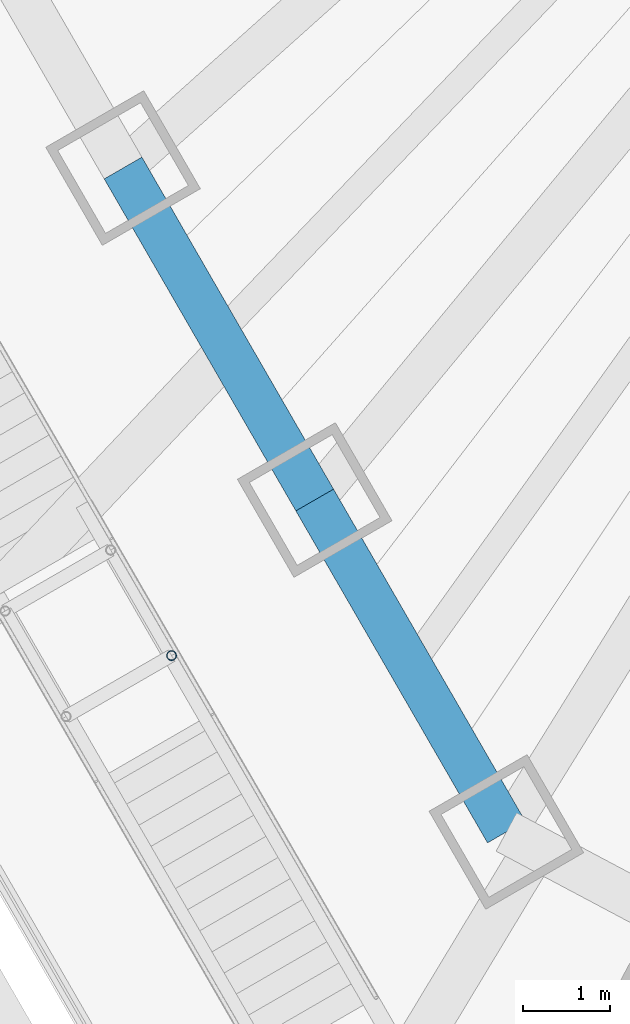
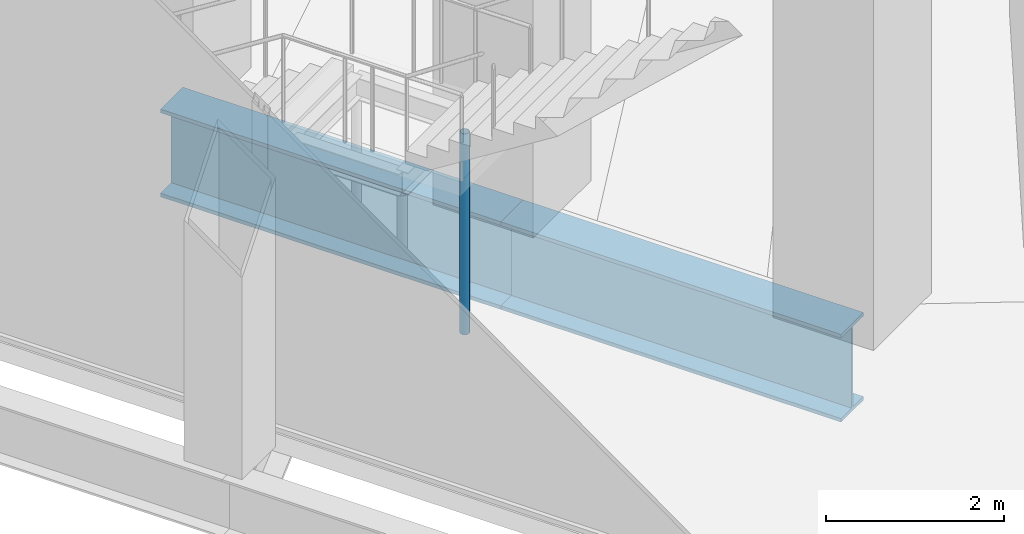
# One storey, part 4 of 23: 2 beams, 1 member.
"""IFC4 building model written with IfcOpenShell, lengths in metres."""

from ifc_helpers import new_model, si_unit, direction, frame, origin, origin_2d, place, context, subcontext, project, spatial, hollow_circle, i_section, extrude, material, material_profile, profile_set, type_object, element, save


model = new_model("IFC4")

# Units and contexts
model_context = context("Model", 3, precision=1e-05, world=origin(), true_north=direction((0.0, 1.0)))
body_context = subcontext(model_context, "Body", "Model", "MODEL_VIEW")
ifc_project = project(units=[si_unit("LENGTHUNIT", "METRE"), si_unit("AREAUNIT", "SQUARE_METRE"), si_unit("VOLUMEUNIT", "CUBIC_METRE"), si_unit("PLANEANGLEUNIT", "RADIAN"), si_unit("MASSUNIT", "GRAM", prefix="KILO")], contexts=[model_context])

# Site, building, storey
site_placement = place(None, origin())
site = spatial("IfcSite", under=ifc_project, at=site_placement, CompositionType="ELEMENT")
building_placement = place(site_placement, origin())
building = spatial("IfcBuilding", under=site, at=building_placement, Name="Qingtian Harvest Tower", CompositionType="ELEMENT")
storey_placement = place(building_placement, frame((0.0, 0.0, 6.0)))
storey = spatial("IfcBuildingStorey", under=building, at=storey_placement, Name="L01", CompositionType="ELEMENT", Elevation=6.0)

# Member
ifc_material_1 = material(Name="Steel SN490B", Category="steel")
ifc_material_profile_1 = material_profile(ifc_material_1, hollow_circle(Radius=0.05712890625, WallThickness=0.00634765625, at=origin_2d()), Name="CHS114.3x6.3")
ifc_profile_set_1 = profile_set([ifc_material_profile_1], Name="Steel SN490B")
member_type = type_object("IfcMemberType", Name="Landing post LP1 CHS114.3x6.3", PredefinedType="POST", material=ifc_profile_set_1)
member_placement = place(storey_placement, frame((-19.993896484375, -24.006103515625, -0.25), z_axis=(0.0, 0.0, 1.0), x_axis=(1.0, 0.0, 0.0)))
element("IfcMember", 1, at=member_placement, inside=storey, type_object=member_type, Name="Landing post LP1 FS4 4", PredefinedType="POST", context=body_context, shape_type="SweptSolid", body=[
    extrude(hollow_circle(Radius=0.05712890625, WallThickness=0.00634765625, at=origin_2d()), origin(), (0.0, 0.0, 1.0), 2.75),
])

# Beams
ifc_material_2 = material(Name="Steel SM570MC", Category="steel")
ifc_material_profile_2 = material_profile(ifc_material_2, i_section(OverallWidth=0.5, OverallDepth=1.199951171875, WebThickness=0.02490234375, FlangeThickness=0.050048828125, at=origin_2d()), Name="H1200x500x25x50")
ifc_profile_set_2 = profile_set([ifc_material_profile_2], Name="Steel SM570MC")
beam_type = type_object("IfcBeamType", Name="Spandrel beam SB1 H1200x500x25x50", PredefinedType="SPANDREL", material=ifc_profile_set_2)
beam_1_placement = place(storey_placement, frame((-16.14697265625, -26.03271484375, -0.85009765625), z_axis=(-0.50001992892, 0.866013897511, 0.0), x_axis=(-0.866013897511, -0.50001992892, 0.0)))
element("IfcBeam", 2, at=beam_1_placement, inside=storey, type_object=beam_type, Name="Spandrel SB1 SW0", PredefinedType="SPANDREL", context=body_context, shape_type="SweptSolid", body=[
    extrude(i_section(OverallWidth=0.5, OverallDepth=1.199951171875, WebThickness=0.02490234375, FlangeThickness=0.050048828125, at=origin_2d()), origin(), (0.0, 0.0, 1.0), 4.404541015625),
])
beam_2_placement = place(storey_placement, frame((-18.349365234375, -22.21826171875, -0.85009765625), z_axis=(-0.499954356739, 0.86605175433, 0.0), x_axis=(-0.86605175433, -0.499954356739, 0.0)))
element("IfcBeam", 3, at=beam_2_placement, inside=storey, type_object=beam_type, Name="Spandrel SB1 SW1", PredefinedType="SPANDREL", context=body_context, shape_type="SweptSolid", body=[
    extrude(i_section(OverallWidth=0.5, OverallDepth=1.199951171875, WebThickness=0.02490234375, FlangeThickness=0.050048828125, at=origin_2d()), origin(), (0.0, 0.0, 1.0), 4.40478515625),
])

save(model, "model.ifc")
